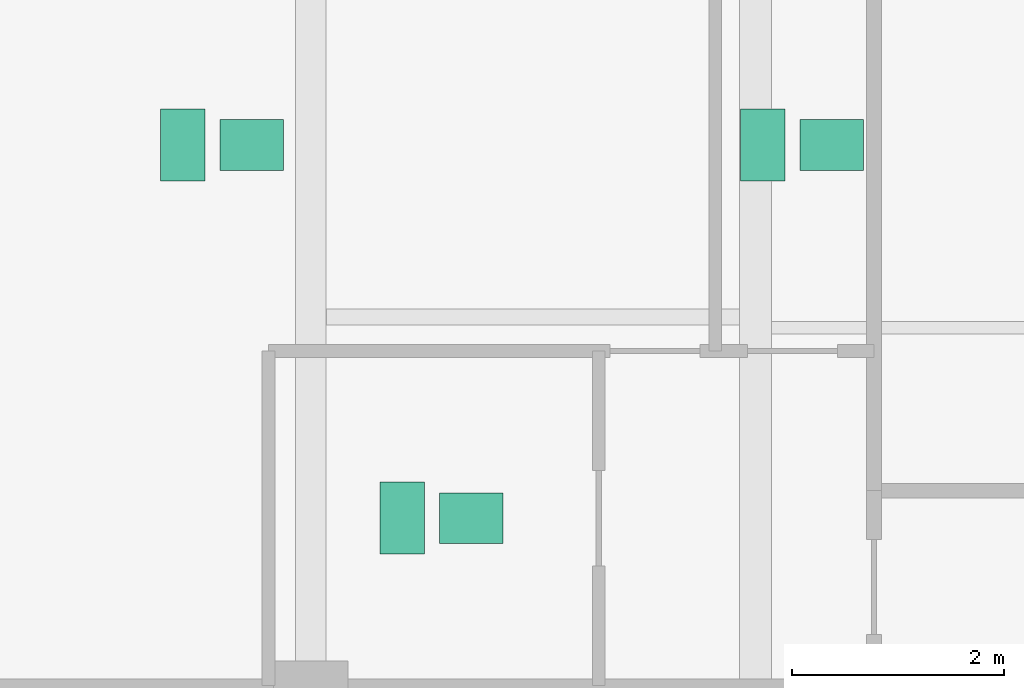
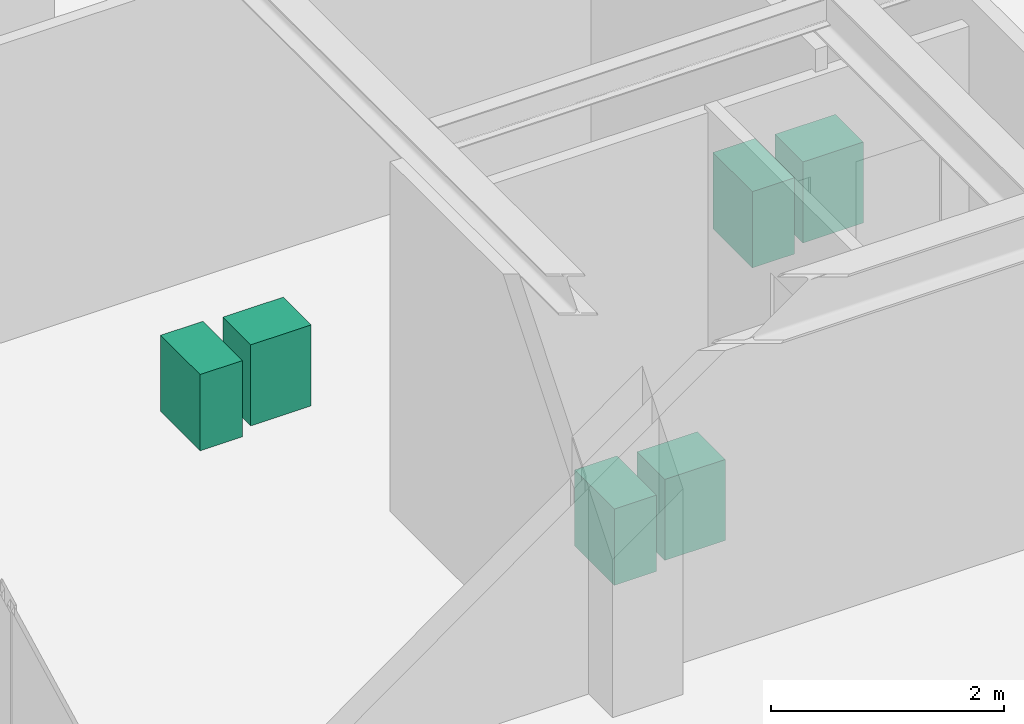
# One storey, part 22 of 22: 6 sanitary terminals.
"""IFC4 building model written with IfcOpenShell, lengths in metres."""

from ifc_helpers import new_model, si_unit, direction, frame, origin, origin_2d, place, context, subcontext, project, spatial, rectangle, extrude, source, transform, mapped, material, type_object, type_shapes, element, save


model = new_model("IFC4")

# Units and contexts
model_context = context("Model", 3, precision=1e-05, world=origin(), true_north=direction((0.0, 1.0)))
body_context = subcontext(model_context, "Body", "Model", "MODEL_VIEW")
ifc_project = project(units=[si_unit("LENGTHUNIT", "METRE"), si_unit("AREAUNIT", "SQUARE_METRE"), si_unit("VOLUMEUNIT", "CUBIC_METRE"), si_unit("PLANEANGLEUNIT", "RADIAN"), si_unit("MASSUNIT", "GRAM", prefix="KILO")], contexts=[model_context])

# Site, building, storey
site_placement = place(None, origin())
site = spatial("IfcSite", under=ifc_project, at=site_placement, CompositionType="ELEMENT")
building_placement = place(site_placement, origin())
building = spatial("IfcBuilding", under=site, at=building_placement, Name="Krantzveldt Concourse Tower", CompositionType="ELEMENT")
storey_placement = place(building_placement, frame((0.0, 0.0, 355.35009765625)))
storey = spatial("IfcBuildingStorey", under=building, at=storey_placement, Name="L87", CompositionType="ELEMENT", Elevation=355.35009765625)

# Sanitary terminals
ifc_material = material(Name="Vitreous china", Category="ceramic")
sanitary_terminal_type_1 = type_object("IfcSanitaryTerminalType", Name="SAN-WC-SUITE", PredefinedType="TOILETPAN", material=ifc_material)
shared_shape_1 = source(origin(), body_context, "Body", "SweptSolid", [
    extrude(rectangle(XDim=0.419921875, YDim=0.679931640625, at=origin_2d()), origin(), (0.0, 0.0, 1.0), 0.800048828125),
])
type_shapes(sanitary_terminal_type_1, [shared_shape_1])
for number, where, z_axis, x_axis, name in (
    (1, (19.791015625, 31.925048828125, 0.0), (0.0, 0.0, 1.0), (1.0, 0.0, 0.0), "WC-SP-L87-WCM"),
    (2, (25.27001953125, 31.925048828125, 0.0), (0.0, 0.0, 1.0), (1.0, 0.0, 0.0), "WC-SP-L87-WCF"),
    (3, (21.864990234375, 28.39990234375, 0.0), (0.0, 0.0, 1.0), (1.0, 0.0, 0.0), "WC-SP-L87-WCA"),
):
    element("IfcSanitaryTerminal", number, at=place(storey_placement, frame(where, z_axis=z_axis, x_axis=x_axis)), inside=storey, type_object=sanitary_terminal_type_1, Name=name, PredefinedType="TOILETPAN", context=body_context, shape_type="MappedRepresentation", body=[
        mapped(shared_shape_1, transform((0.0, 0.0, 0.0), x_axis=(1.0, 0.0, 0.0), y_axis=(0.0, 1.0, 0.0), z_axis=(0.0, 0.0, 1.0), scale=1.0)),
    ])
sanitary_terminal_type_2 = type_object("IfcSanitaryTerminalType", Name="SAN-BASIN-600", PredefinedType="WASHHANDBASIN", material=ifc_material)
shared_shape_2 = source(origin(), body_context, "Body", "SweptSolid", [
    extrude(rectangle(XDim=0.60009765625, YDim=0.47998046875, at=origin_2d()), origin(), (0.0, 0.0, 1.0), 0.85009765625),
])
type_shapes(sanitary_terminal_type_2, [shared_shape_2])
for number, where, z_axis, x_axis, name in (
    (4, (20.44091796875, 31.925048828125, 0.0048828125), (0.0, 0.0, 1.0), (1.0, 0.0, 0.0), "BSN-SP-L87-WCM"),
    (5, (25.919921875, 31.925048828125, 0.0048828125), (0.0, 0.0, 1.0), (1.0, 0.0, 0.0), "BSN-SP-L87-WCF"),
    (6, (22.514892578125, 28.39990234375, 0.0048828125), (0.0, 0.0, 1.0), (1.0, 0.0, 0.0), "BSN-SP-L87-WCA"),
):
    element("IfcSanitaryTerminal", number, at=place(storey_placement, frame(where, z_axis=z_axis, x_axis=x_axis)), inside=storey, type_object=sanitary_terminal_type_2, Name=name, PredefinedType="WASHHANDBASIN", context=body_context, shape_type="MappedRepresentation", body=[
        mapped(shared_shape_2, transform((0.0, 0.0, 0.0), x_axis=(1.0, 0.0, 0.0), y_axis=(0.0, 1.0, 0.0), z_axis=(0.0, 0.0, 1.0), scale=1.0)),
    ])

save(model, "model.ifc")
